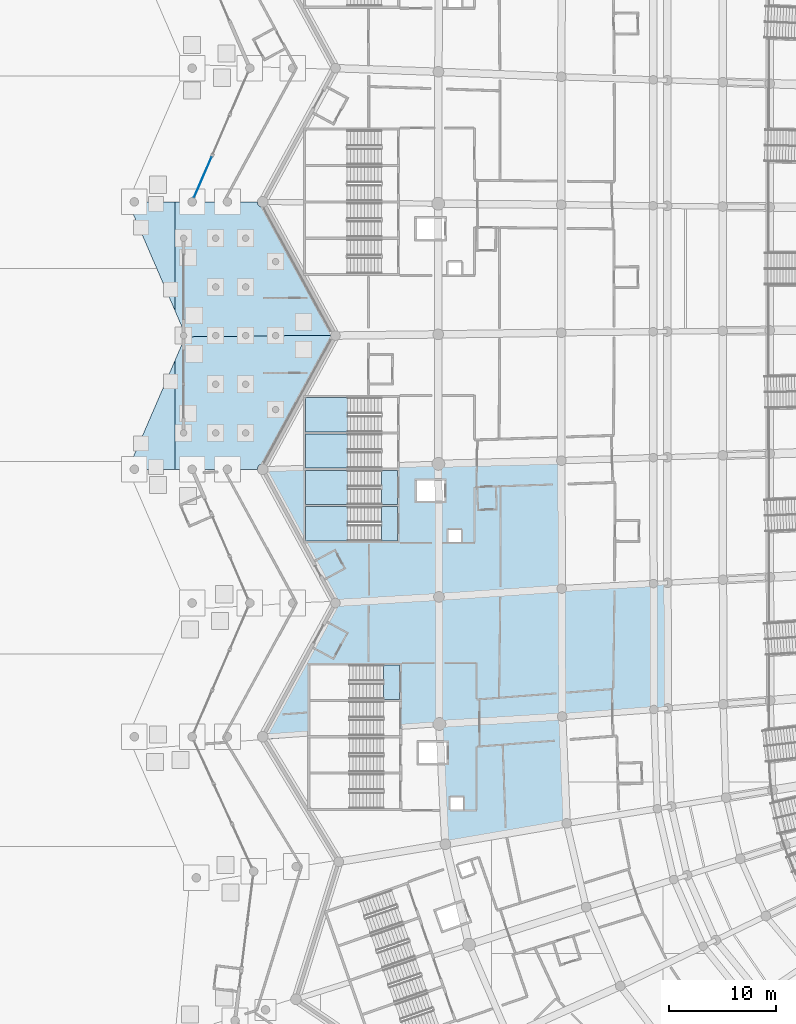
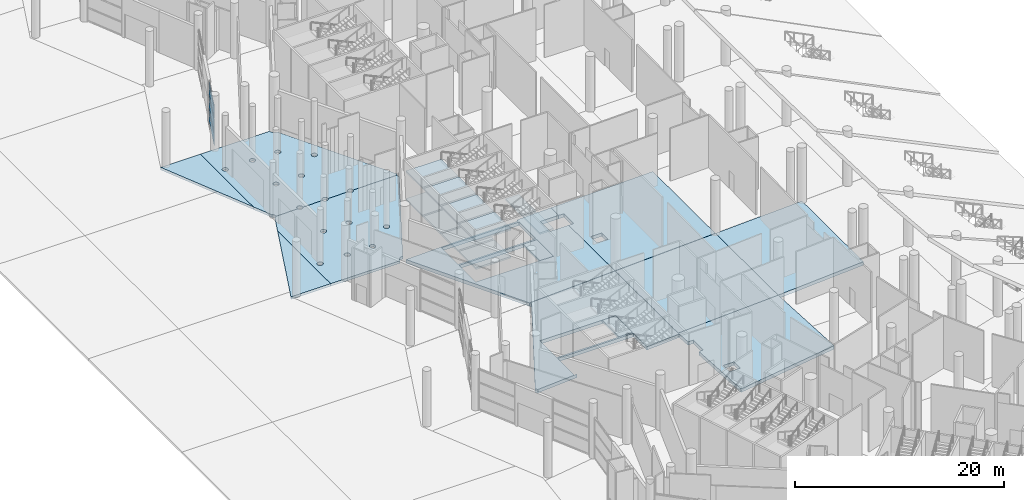
# One storey, part 75 of 255: 22 slabs, 3 plates, 6 elements without a shape of their own.
"""IFC4 building model written with IfcOpenShell, lengths in metres."""

from ifc_helpers import new_model, si_unit, direction, frame, origin, origin_2d, place, context, subcontext, project, spatial, polyline, rectangle, outline, extrude, material, layer, layer_set, type_object, element, aggregate, save


model = new_model("IFC4")

# Units and contexts
model_context = context("Model", 3, precision=1e-05, world=origin(), true_north=direction((0.0, 1.0)))
body_context = subcontext(model_context, "Body", "Model", "MODEL_VIEW")
ifc_project = project(units=[si_unit("LENGTHUNIT", "METRE"), si_unit("AREAUNIT", "SQUARE_METRE"), si_unit("VOLUMEUNIT", "CUBIC_METRE"), si_unit("PLANEANGLEUNIT", "RADIAN"), si_unit("MASSUNIT", "GRAM", prefix="KILO")], contexts=[model_context])

# Site, building, storey
site_placement = place(None, origin())
site = spatial("IfcSite", under=ifc_project, at=site_placement, CompositionType="ELEMENT")
building_placement = place(site_placement, origin())
building = spatial("IfcBuilding", under=site, at=building_placement, Name="Meseta Stadium", CompositionType="ELEMENT")
storey_placement = place(building_placement, origin())
storey = spatial("IfcBuildingStorey", under=building, at=storey_placement, Name="L00", CompositionType="ELEMENT", Elevation=0.0)

# Slabs
ifc_material_1 = material(Name="Concrete C40/50", Category="concrete")
ifc_layer_1 = layer(ifc_material_1, 0.39990234375)
ifc_layer_set_1 = layer_set([ifc_layer_1], Name="Floor slab 400")
slab_type_1 = type_object("IfcSlabType", Name="Floor slab 400", PredefinedType="FLOOR", material=ifc_layer_set_1)
slab_1_placement = place(storey_placement, frame((0.0, 0.0, -0.39990234375)))
element("IfcSlab", 1, at=slab_1_placement, inside=storey, type_object=slab_type_1, Name="Floor slab L00 sector 28 panel 02", PredefinedType="FLOOR", context=body_context, shape_type="SweptSolid", body=[
    extrude(outline(polyline([(-94.70361328125, -31.059326171875), (-84.926025390625, -30.523193359375), (-84.9638671875, -21.699951171875), (-87.0, -21.699951171875), (-87.0, -19.800048828125), (-84.971923828125, -19.800048828125), (-84.978271484375, -18.32177734375), (-88.800048828125, -18.447509765625), (-88.800048828125, -18.64990234375), (-94.9599609375, -18.64990234375), (-101.340087890625, -18.85986328125), (-94.70361328125, -31.059326171875)]), holes=[polyline([(-97.39990234375, -22.25), (-88.800048828125, -22.25), (-88.800048828125, -25.449951171875), (-97.39990234375, -25.449951171875), (-97.39990234375, -22.25)]), polyline([(-97.39990234375, -18.85009765625), (-88.800048828125, -18.85009765625), (-88.800048828125, -22.050048828125), (-97.39990234375, -22.050048828125), (-97.39990234375, -18.85009765625)])]), origin(), (0.0, 0.0, 1.0), 0.39990234375),
])
slab_2_placement = place(storey_placement, frame((0.0, 0.0, -0.39990234375)))
element("IfcSlab", 2, at=slab_2_placement, inside=storey, type_object=slab_type_1, Name="Floor slab L00 sector 28 panel 13", PredefinedType="FLOOR", context=body_context, shape_type="SweptSolid", body=[
    extrude(outline(polyline([(-84.39990234375, -21.699951171875), (-84.9638671875, -21.699951171875), (-84.926025390625, -30.523193359375), (-73.451416015625, -29.89404296875), (-73.482421875, -17.943603515625), (-84.978271484375, -18.32177734375), (-84.971923828125, -19.800048828125), (-84.39990234375, -19.800048828125), (-84.39990234375, -21.699951171875)]), holes=[polyline([(-82.85009765625, -24.39990234375), (-82.85009765625, -25.60009765625), (-84.050048828125, -25.60009765625), (-84.050048828125, -24.39990234375), (-82.85009765625, -24.39990234375)])]), origin(), (0.0, 0.0, 1.0), 0.39990234375),
])
slab_3_placement = place(storey_placement, frame((0.0, 0.0, -0.39990234375)))
element("IfcSlab", 3, at=slab_3_placement, inside=storey, type_object=slab_type_1, Name="Floor slab L00 sector 35 panel 01", PredefinedType="FLOOR", context=body_context, shape_type="SweptSolid", body=[
    extrude(outline(polyline([(-94.60009765625, -31.25), (-101.39990234375, -43.75), (-101.24853515625, -43.999267578125), (-96.697021484375, -43.64990234375), (-97.0, -43.64990234375), (-97.0, -40.449951171875), (-88.60009765625, -40.449951171875), (-88.60009765625, -43.028564453125), (-84.875, -42.74267578125), (-84.884033203125, -42.5615234375), (-84.92578125, -30.543212890625), (-94.693115234375, -31.07861328125), (-94.60009765625, -31.25)]), holes=[polyline([(-88.60009765625, -40.25), (-97.0, -40.25), (-97.0, -37.050048828125), (-88.60009765625, -37.050048828125), (-88.60009765625, -40.25)])]), origin(), (0.0, 0.0, 1.0), 0.39990234375),
])
slab_4_placement = place(storey_placement, frame((0.0, 0.0, -0.39990234375)))
element("IfcSlab", 4, at=slab_4_placement, inside=storey, type_object=slab_type_1, Name="Floor slab L00 sector 35 panel 06", PredefinedType="FLOOR", context=body_context, shape_type="SweptSolid", body=[
    extrude(outline(polyline([(-73.40478515625, -41.8623046875), (-73.451416015625, -29.9140625), (-84.92578125, -30.543212890625), (-84.884033203125, -42.5615234375), (-73.40478515625, -41.8623046875)])), origin(), (0.0, 0.0, 1.0), 0.39990234375),
])
slab_5_placement = place(storey_placement, frame((0.0, 0.0, -0.39990234375)))
element("IfcSlab", 5, at=slab_5_placement, inside=storey, type_object=slab_type_1, Name="Floor slab L00 sector 35 panel 07", PredefinedType="FLOOR", context=body_context, shape_type="SweptSolid", body=[
    extrude(outline(polyline([(-72.9921875, -51.84716796875), (-73.40478515625, -41.8623046875), (-84.884033203125, -42.5615234375), (-84.797607421875, -44.300048828125), (-84.199951171875, -44.300048828125), (-84.199951171875, -46.199951171875), (-84.703125, -46.199951171875), (-84.33154296875, -53.67333984375), (-72.9921875, -51.84716796875)]), holes=[polyline([(-82.64990234375, -50.60009765625), (-83.85009765625, -50.60009765625), (-83.85009765625, -49.39990234375), (-82.64990234375, -49.39990234375), (-82.64990234375, -50.60009765625)])]), origin(), (0.0, 0.0, 1.0), 0.39990234375),
])
slab_6_placement = place(storey_placement, frame((0.0, 0.0, -0.39990234375)))
element("IfcSlab", 6, at=slab_6_placement, inside=storey, type_object=slab_type_1, Name="Floor slab L00 sector 35 panel 12", PredefinedType="FLOOR", context=body_context, shape_type="SweptSolid", body=[
    extrude(outline(polyline([(-63.566162109375, -29.372314453125), (-73.451416015625, -29.9140625), (-73.40478515625, -41.8623046875), (-63.53369140625, -41.1044921875), (-63.566162109375, -29.372314453125)])), origin(), (0.0, 0.0, 1.0), 0.39990234375),
])
ifc_material_2 = material(Name="Concrete C40/50", Category="concrete")
ifc_layer_2 = layer(ifc_material_2, 0.300048828125)
ifc_layer_set_2 = layer_set([ifc_layer_2], Name="Gate court paving 300")
slab_type_2 = type_object("IfcSlabType", Name="Gate court paving 300", PredefinedType="FLOOR", material=ifc_layer_set_2)
slab_7_placement = place(storey_placement, frame((0.0, 0.0, -0.300048828125)))
element("IfcSlab", 7, at=slab_7_placement, inside=storey, type_object=slab_type_2, Name="Gate 5 court paving", PredefinedType="FLOOR", context=body_context, shape_type="SweptSolid", body=[
    extrude(outline(polyline([(-108.60009765625, -6.25), (-114.0, -18.75), (-109.60009765625, -18.75), (-109.60009765625, -8.564697265625), (-108.60009765625, -6.25)])), origin(), (0.0, 0.0, 1.0), 0.300048828125),
])
slab_8_placement = place(storey_placement, frame((0.0, 0.0, -0.300048828125)))
element("IfcSlab", 8, at=slab_8_placement, inside=storey, type_object=slab_type_2, Name="Gate 5 court paving", PredefinedType="FLOOR", context=body_context, shape_type="SweptSolid", body=[
    extrude(outline(polyline([(-109.60009765625, 6.25), (-114.0, 6.25), (-109.60009765625, -3.935302734375), (-109.60009765625, 6.25)])), origin(), (0.0, 0.0, 1.0), 0.300048828125),
])
ifc_material_3 = material(Name="Concrete C30/37", Category="concrete")
ifc_layer_3 = layer(ifc_material_3, 0.300048828125)
ifc_layer_set_3 = layer_set([ifc_layer_3], Name="Gate grade slab 300")
slab_type_3 = type_object("IfcSlabType", Name="Gate grade slab 300", PredefinedType="BASESLAB", material=ifc_layer_set_3)
slab_9_placement = place(storey_placement, frame((0.0, 0.0, -0.300048828125)))
element("IfcSlab", 9, at=slab_9_placement, inside=storey, type_object=slab_type_3, Name="Gate ground floor slab 5 panel 01", PredefinedType="BASESLAB", context=body_context, shape_type="SweptSolid", body=[
    extrude(outline(polyline([(-108.497314453125, -6.25), (-108.5078125, -6.328369140625), (-108.523193359375, -6.365478515625), (-106.087890625, -6.338623046875), (-106.09228515625, -6.328369140625), (-106.1025390625, -6.25), (-106.09228515625, -6.171630859375), (-106.06201171875, -6.0986328125), (-106.013916015625, -6.035888671875), (-105.951416015625, -5.988037109375), (-105.87841796875, -5.957763671875), (-105.800048828125, -5.947509765625), (-105.7216796875, -5.957763671875), (-105.648681640625, -5.988037109375), (-105.5859375, -6.035888671875), (-105.5380859375, -6.0986328125), (-105.5078125, -6.171630859375), (-105.497314453125, -6.25), (-105.5078125, -6.328369140625), (-105.509521484375, -6.332275390625), (-103.294921875, -6.30810546875), (-103.302490234375, -6.25), (-103.292236328125, -6.171630859375), (-103.261962890625, -6.0986328125), (-103.214111328125, -6.035888671875), (-103.1513671875, -5.988037109375), (-103.078369140625, -5.957763671875), (-103.0, -5.947509765625), (-102.921630859375, -5.957763671875), (-102.8486328125, -5.988037109375), (-102.785888671875, -6.035888671875), (-102.738037109375, -6.0986328125), (-102.707763671875, -6.171630859375), (-102.697509765625, -6.25), (-102.7041015625, -6.301513671875), (-100.4990234375, -6.27734375), (-100.502685546875, -6.25), (-100.4921875, -6.171630859375), (-100.4619140625, -6.0986328125), (-100.4140625, -6.035888671875), (-100.351318359375, -5.988037109375), (-100.2783203125, -5.957763671875), (-100.199951171875, -5.947509765625), (-100.12158203125, -5.957763671875), (-100.048583984375, -5.988037109375), (-99.986083984375, -6.035888671875), (-99.93798828125, -6.0986328125), (-99.90771484375, -6.171630859375), (-99.8974609375, -6.25), (-99.900146484375, -6.270751953125), (-95.049560546875, -6.217529296875), (-95.038330078125, -6.132568359375), (-94.9931640625, -6.023193359375), (-94.955078125, -5.9736328125), (-101.335205078125, 5.754150390625), (-101.39990234375, 5.74560546875), (-101.530517578125, 5.762939453125), (-101.652099609375, 5.813232421875), (-101.756591796875, 5.893310546875), (-101.836669921875, 5.997802734375), (-101.88720703125, 6.119384765625), (-101.904296875, 6.25), (-109.60009765625, 6.25), (-109.60009765625, -3.935302734375), (-108.7265625, -5.95703125), (-108.7216796875, -5.957763671875), (-108.648681640625, -5.988037109375), (-108.5859375, -6.035888671875), (-108.5380859375, -6.0986328125), (-108.5078125, -6.171630859375), (-108.497314453125, -6.25)]), holes=[polyline([(-105.5380859375, -1.851318359375), (-105.5859375, -1.9140625), (-105.648681640625, -1.9619140625), (-105.7216796875, -1.9921875), (-105.800048828125, -2.002685546875), (-105.87841796875, -1.9921875), (-105.951416015625, -1.9619140625), (-106.013916015625, -1.9140625), (-106.06201171875, -1.851318359375), (-106.09228515625, -1.7783203125), (-106.1025390625, -1.699951171875), (-106.09228515625, -1.62158203125), (-106.06201171875, -1.548583984375), (-106.013916015625, -1.486083984375), (-105.951416015625, -1.43798828125), (-105.87841796875, -1.40771484375), (-105.800048828125, -1.3974609375), (-105.7216796875, -1.40771484375), (-105.648681640625, -1.43798828125), (-105.5859375, -1.486083984375), (-105.5380859375, -1.548583984375), (-105.5078125, -1.62158203125), (-105.497314453125, -1.699951171875), (-105.5078125, -1.7783203125), (-105.5380859375, -1.851318359375)]), polyline([(-108.5859375, 2.635986328125), (-108.648681640625, 2.587890625), (-108.7216796875, 2.5576171875), (-108.800048828125, 2.54736328125), (-108.87841796875, 2.5576171875), (-108.951416015625, 2.587890625), (-109.013916015625, 2.635986328125), (-109.06201171875, 2.69873046875), (-109.09228515625, 2.771728515625), (-109.1025390625, 2.85009765625), (-109.09228515625, 2.92822265625), (-109.06201171875, 3.001220703125), (-109.013916015625, 3.06396484375), (-108.951416015625, 3.112060546875), (-108.87841796875, 3.142333984375), (-108.800048828125, 3.152587890625), (-108.7216796875, 3.142333984375), (-108.648681640625, 3.112060546875), (-108.5859375, 3.06396484375), (-108.5380859375, 3.001220703125), (-108.5078125, 2.92822265625), (-108.497314453125, 2.85009765625), (-108.5078125, 2.771728515625), (-108.5380859375, 2.69873046875), (-108.5859375, 2.635986328125)]), polyline([(-105.5859375, 2.635986328125), (-105.648681640625, 2.587890625), (-105.7216796875, 2.5576171875), (-105.800048828125, 2.54736328125), (-105.87841796875, 2.5576171875), (-105.951416015625, 2.587890625), (-106.013916015625, 2.635986328125), (-106.06201171875, 2.69873046875), (-106.09228515625, 2.771728515625), (-106.1025390625, 2.85009765625), (-106.09228515625, 2.92822265625), (-106.06201171875, 3.001220703125), (-106.013916015625, 3.06396484375), (-105.951416015625, 3.112060546875), (-105.87841796875, 3.142333984375), (-105.800048828125, 3.152587890625), (-105.7216796875, 3.142333984375), (-105.648681640625, 3.112060546875), (-105.5859375, 3.06396484375), (-105.5380859375, 3.001220703125), (-105.5078125, 2.92822265625), (-105.497314453125, 2.85009765625), (-105.5078125, 2.771728515625), (-105.5380859375, 2.69873046875), (-105.5859375, 2.635986328125)]), polyline([(-102.785888671875, -1.9140625), (-102.8486328125, -1.9619140625), (-102.921630859375, -1.9921875), (-103.0, -2.002685546875), (-103.078369140625, -1.9921875), (-103.1513671875, -1.9619140625), (-103.214111328125, -1.9140625), (-103.261962890625, -1.851318359375), (-103.292236328125, -1.7783203125), (-103.302490234375, -1.699951171875), (-103.292236328125, -1.62158203125), (-103.261962890625, -1.548583984375), (-103.214111328125, -1.486083984375), (-103.1513671875, -1.43798828125), (-103.078369140625, -1.40771484375), (-103.0, -1.3974609375), (-102.921630859375, -1.40771484375), (-102.8486328125, -1.43798828125), (-102.785888671875, -1.486083984375), (-102.738037109375, -1.548583984375), (-102.707763671875, -1.62158203125), (-102.697509765625, -1.699951171875), (-102.707763671875, -1.7783203125), (-102.738037109375, -1.851318359375), (-102.785888671875, -1.9140625)]), polyline([(-99.986083984375, 0.45361328125), (-100.048583984375, 0.405517578125), (-100.12158203125, 0.375244140625), (-100.199951171875, 0.364990234375), (-100.2783203125, 0.375244140625), (-100.351318359375, 0.405517578125), (-100.4140625, 0.45361328125), (-100.4619140625, 0.51611328125), (-100.4921875, 0.589111328125), (-100.502685546875, 0.66748046875), (-100.4921875, 0.745849609375), (-100.4619140625, 0.818603515625), (-100.4140625, 0.88134765625), (-100.351318359375, 0.929443359375), (-100.2783203125, 0.959716796875), (-100.199951171875, 0.969970703125), (-100.12158203125, 0.959716796875), (-100.048583984375, 0.929443359375), (-99.986083984375, 0.88134765625), (-99.93798828125, 0.818603515625), (-99.90771484375, 0.745849609375), (-99.8974609375, 0.66748046875), (-99.90771484375, 0.589111328125), (-99.93798828125, 0.51611328125), (-99.986083984375, 0.45361328125)]), polyline([(-102.738037109375, 2.69873046875), (-102.785888671875, 2.635986328125), (-102.8486328125, 2.587890625), (-102.921630859375, 2.5576171875), (-103.0, 2.54736328125), (-103.078369140625, 2.5576171875), (-103.1513671875, 2.587890625), (-103.214111328125, 2.635986328125), (-103.261962890625, 2.69873046875), (-103.292236328125, 2.771728515625), (-103.302490234375, 2.85009765625), (-103.292236328125, 2.92822265625), (-103.261962890625, 3.001220703125), (-103.214111328125, 3.06396484375), (-103.1513671875, 3.112060546875), (-103.078369140625, 3.142333984375), (-103.0, 3.152587890625), (-102.921630859375, 3.142333984375), (-102.8486328125, 3.112060546875), (-102.785888671875, 3.06396484375), (-102.738037109375, 3.001220703125), (-102.707763671875, 2.92822265625), (-102.697509765625, 2.85009765625), (-102.707763671875, 2.771728515625), (-102.738037109375, 2.69873046875)])]), origin(), (0.0, 0.0, 1.0), 0.300048828125),
])
slab_10_placement = place(storey_placement, frame((0.0, 0.0, -0.300048828125)))
element("IfcSlab", 10, at=slab_10_placement, inside=storey, type_object=slab_type_3, Name="Gate ground floor slab 5 panel 02", PredefinedType="BASESLAB", context=body_context, shape_type="SweptSolid", body=[
    extrude(outline(polyline([(-95.038330078125, -6.367431640625), (-95.053955078125, -6.25), (-95.049560546875, -6.217529296875), (-99.900146484375, -6.270751953125), (-99.90771484375, -6.328369140625), (-99.93798828125, -6.4013671875), (-99.986083984375, -6.464111328125), (-100.048583984375, -6.511962890625), (-100.12158203125, -6.542236328125), (-100.199951171875, -6.552490234375), (-100.2783203125, -6.542236328125), (-100.351318359375, -6.511962890625), (-100.4140625, -6.464111328125), (-100.4619140625, -6.4013671875), (-100.4921875, -6.328369140625), (-100.4990234375, -6.27734375), (-102.7041015625, -6.301513671875), (-102.707763671875, -6.328369140625), (-102.738037109375, -6.4013671875), (-102.785888671875, -6.464111328125), (-102.8486328125, -6.511962890625), (-102.921630859375, -6.542236328125), (-103.0, -6.552490234375), (-103.078369140625, -6.542236328125), (-103.1513671875, -6.511962890625), (-103.214111328125, -6.464111328125), (-103.261962890625, -6.4013671875), (-103.292236328125, -6.328369140625), (-103.294921875, -6.30810546875), (-105.509521484375, -6.332275390625), (-105.5380859375, -6.4013671875), (-105.5859375, -6.464111328125), (-105.648681640625, -6.511962890625), (-105.7216796875, -6.542236328125), (-105.800048828125, -6.552490234375), (-105.87841796875, -6.542236328125), (-105.951416015625, -6.511962890625), (-106.013916015625, -6.464111328125), (-106.06201171875, -6.4013671875), (-106.087890625, -6.338623046875), (-108.523193359375, -6.365478515625), (-108.5380859375, -6.4013671875), (-108.5859375, -6.464111328125), (-108.648681640625, -6.511962890625), (-108.7216796875, -6.542236328125), (-108.7265625, -6.54296875), (-109.60009765625, -8.564697265625), (-109.60009765625, -18.75), (-101.904296875, -18.75), (-101.88720703125, -18.619384765625), (-101.836669921875, -18.497802734375), (-101.756591796875, -18.393310546875), (-101.652099609375, -18.313232421875), (-101.530517578125, -18.262939453125), (-101.39990234375, -18.24560546875), (-101.335205078125, -18.254150390625), (-94.955078125, -6.5263671875), (-94.9931640625, -6.476806640625), (-95.038330078125, -6.367431640625)]), holes=[polyline([(-108.5380859375, -15.501220703125), (-108.5859375, -15.56396484375), (-108.648681640625, -15.612060546875), (-108.7216796875, -15.642333984375), (-108.800048828125, -15.652587890625), (-108.87841796875, -15.642333984375), (-108.951416015625, -15.612060546875), (-109.013916015625, -15.56396484375), (-109.06201171875, -15.501220703125), (-109.09228515625, -15.42822265625), (-109.1025390625, -15.35009765625), (-109.09228515625, -15.271728515625), (-109.06201171875, -15.19873046875), (-109.013916015625, -15.135986328125), (-108.951416015625, -15.087890625), (-108.87841796875, -15.0576171875), (-108.800048828125, -15.04736328125), (-108.7216796875, -15.0576171875), (-108.648681640625, -15.087890625), (-108.5859375, -15.135986328125), (-108.5380859375, -15.19873046875), (-108.5078125, -15.271728515625), (-108.497314453125, -15.35009765625), (-108.5078125, -15.42822265625), (-108.5380859375, -15.501220703125)]), polyline([(-105.5380859375, -15.501220703125), (-105.5859375, -15.56396484375), (-105.648681640625, -15.612060546875), (-105.7216796875, -15.642333984375), (-105.800048828125, -15.652587890625), (-105.87841796875, -15.642333984375), (-105.951416015625, -15.612060546875), (-106.013916015625, -15.56396484375), (-106.06201171875, -15.501220703125), (-106.09228515625, -15.42822265625), (-106.1025390625, -15.35009765625), (-106.09228515625, -15.271728515625), (-106.06201171875, -15.19873046875), (-106.013916015625, -15.135986328125), (-105.951416015625, -15.087890625), (-105.87841796875, -15.0576171875), (-105.800048828125, -15.04736328125), (-105.7216796875, -15.0576171875), (-105.648681640625, -15.087890625), (-105.5859375, -15.135986328125), (-105.5380859375, -15.19873046875), (-105.5078125, -15.271728515625), (-105.497314453125, -15.35009765625), (-105.5078125, -15.42822265625), (-105.5380859375, -15.501220703125)]), polyline([(-102.738037109375, -15.501220703125), (-102.785888671875, -15.56396484375), (-102.8486328125, -15.612060546875), (-102.921630859375, -15.642333984375), (-103.0, -15.652587890625), (-103.078369140625, -15.642333984375), (-103.1513671875, -15.612060546875), (-103.214111328125, -15.56396484375), (-103.261962890625, -15.501220703125), (-103.292236328125, -15.42822265625), (-103.302490234375, -15.35009765625), (-103.292236328125, -15.271728515625), (-103.261962890625, -15.19873046875), (-103.214111328125, -15.135986328125), (-103.1513671875, -15.087890625), (-103.078369140625, -15.0576171875), (-103.0, -15.04736328125), (-102.921630859375, -15.0576171875), (-102.8486328125, -15.087890625), (-102.785888671875, -15.135986328125), (-102.738037109375, -15.19873046875), (-102.707763671875, -15.271728515625), (-102.697509765625, -15.35009765625), (-102.707763671875, -15.42822265625), (-102.738037109375, -15.501220703125)]), polyline([(-105.5859375, -11.013916015625), (-105.648681640625, -11.06201171875), (-105.7216796875, -11.09228515625), (-105.800048828125, -11.1025390625), (-105.87841796875, -11.09228515625), (-105.951416015625, -11.06201171875), (-106.013916015625, -11.013916015625), (-106.06201171875, -10.951416015625), (-106.09228515625, -10.87841796875), (-106.1025390625, -10.800048828125), (-106.09228515625, -10.7216796875), (-106.06201171875, -10.648681640625), (-106.013916015625, -10.5859375), (-105.951416015625, -10.5380859375), (-105.87841796875, -10.5078125), (-105.800048828125, -10.497314453125), (-105.7216796875, -10.5078125), (-105.648681640625, -10.5380859375), (-105.5859375, -10.5859375), (-105.5380859375, -10.648681640625), (-105.5078125, -10.7216796875), (-105.497314453125, -10.800048828125), (-105.5078125, -10.87841796875), (-105.5380859375, -10.951416015625), (-105.5859375, -11.013916015625)]), polyline([(-102.785888671875, -11.013916015625), (-102.8486328125, -11.06201171875), (-102.921630859375, -11.09228515625), (-103.0, -11.1025390625), (-103.078369140625, -11.09228515625), (-103.1513671875, -11.06201171875), (-103.214111328125, -11.013916015625), (-103.261962890625, -10.951416015625), (-103.292236328125, -10.87841796875), (-103.302490234375, -10.800048828125), (-103.292236328125, -10.7216796875), (-103.261962890625, -10.648681640625), (-103.214111328125, -10.5859375), (-103.1513671875, -10.5380859375), (-103.078369140625, -10.5078125), (-103.0, -10.497314453125), (-102.921630859375, -10.5078125), (-102.8486328125, -10.5380859375), (-102.785888671875, -10.5859375), (-102.738037109375, -10.648681640625), (-102.707763671875, -10.7216796875), (-102.697509765625, -10.800048828125), (-102.707763671875, -10.87841796875), (-102.738037109375, -10.951416015625), (-102.785888671875, -11.013916015625)]), polyline([(-99.93798828125, -13.318603515625), (-99.986083984375, -13.38134765625), (-100.048583984375, -13.429443359375), (-100.12158203125, -13.459716796875), (-100.199951171875, -13.469970703125), (-100.2783203125, -13.459716796875), (-100.351318359375, -13.429443359375), (-100.4140625, -13.38134765625), (-100.4619140625, -13.318603515625), (-100.4921875, -13.245849609375), (-100.502685546875, -13.16748046875), (-100.4921875, -13.089111328125), (-100.4619140625, -13.01611328125), (-100.4140625, -12.95361328125), (-100.351318359375, -12.905517578125), (-100.2783203125, -12.875244140625), (-100.199951171875, -12.864990234375), (-100.12158203125, -12.875244140625), (-100.048583984375, -12.905517578125), (-99.986083984375, -12.95361328125), (-99.93798828125, -13.01611328125), (-99.90771484375, -13.089111328125), (-99.8974609375, -13.16748046875), (-99.90771484375, -13.245849609375), (-99.93798828125, -13.318603515625)])]), origin(), (0.0, 0.0, 1.0), 0.300048828125),
])

# Curtain wall, plates
ifc_material_4 = material(Name="Aluminium", Category="aluminium")
ifc_layer_4 = layer(ifc_material_4, 0.199951171875)
ifc_layer_set_4 = layer_set([ifc_layer_4], Name="Ring shopfront curtain wall")
curtain_wall_type = type_object("IfcCurtainWallType", Name="Ring shopfront curtain wall", PredefinedType="NOTDEFINED", material=ifc_layer_set_4)
curtain_wall_placement = place(storey_placement, origin())
curtain_wall = element("IfcCurtainWall", 11, at=curtain_wall_placement, inside=storey, type_object=curtain_wall_type, Name="Shopfront glazing F31b", PredefinedType="NOTDEFINED")
ifc_material_5 = material(Name="Glass", Category="glass")
ifc_layer_5 = layer(ifc_material_5, 0.035888671875)
ifc_layer_set_5 = layer_set([ifc_layer_5], Name="Ring CW glass panel 36")
plate_type = type_object("IfcPlateType", Name="Ring CW glass panel 36", PredefinedType="CURTAIN_PANEL", material=ifc_layer_set_5)
plate_1_placement = place(storey_placement, frame((-107.0068359375, 8.548828125, 0.150146484375), z_axis=(0.0, 0.0, 1.0), x_axis=(-0.396576208678, -0.918001803218, 0.0)))
plate_1 = element("IfcPlate", 12, at=plate_1_placement, type_object=plate_type, Name="CWR1 panel 1.1", PredefinedType="CURTAIN_PANEL", context=body_context, shape_type="SweptSolid", body=[
    extrude(rectangle(XDim=4.08837890625, YDim=0.035888671875, at=origin_2d()), origin(), (0.0, 0.0, 1.0), 1.3916015625),
])
plate_2_placement = place(storey_placement, frame((-107.0068359375, 8.548828125, 1.69189453125), z_axis=(0.0, 0.0, 1.0), x_axis=(-0.396576208678, -0.918001803218, 0.0)))
plate_2 = element("IfcPlate", 13, at=plate_2_placement, type_object=plate_type, Name="CWR1 panel 1.2", PredefinedType="CURTAIN_PANEL", context=body_context, shape_type="SweptSolid", body=[
    extrude(rectangle(XDim=4.08837890625, YDim=0.035888671875, at=origin_2d()), origin(), (0.0, 0.0, 1.0), 1.466552734375),
])
plate_3_placement = place(storey_placement, frame((-107.0068359375, 8.548828125, 3.308349609375), z_axis=(0.0, 0.0, 1.0), x_axis=(-0.396576208678, -0.918001803218, 0.0)))
plate_3 = element("IfcPlate", 14, at=plate_3_placement, type_object=plate_type, Name="CWR1 panel 1.3", PredefinedType="CURTAIN_PANEL", context=body_context, shape_type="SweptSolid", body=[
    extrude(rectangle(XDim=4.08837890625, YDim=0.035888671875, at=origin_2d()), origin(), (0.0, 0.0, 1.0), 1.3916015625),
])
aggregate(curtain_wall, [plate_1, plate_2, plate_3])

# Stair, slabs
ifc_material_6 = material(Name="Concrete C40/50", Category="concrete")
stair_type = type_object("IfcStairType", Name="Exit stair 4 flights 148 mm risers", PredefinedType="HALF_TURN_STAIR", material=ifc_material_6)
stair_1_placement = place(storey_placement, origin())
stair_1 = element("IfcStair", 15, at=stair_1_placement, inside=storey, type_object=stair_type, Name="ST69 L00", PredefinedType="HALF_TURN_STAIR")
ifc_material_7 = material(Name="Concrete C40/50", Category="concrete")
ifc_layer_6 = layer(ifc_material_7, 0.199951171875)
ifc_layer_set_6 = layer_set([ifc_layer_6], Name="Stair landing 200")
slab_type_4 = type_object("IfcSlabType", Name="Stair landing 200", PredefinedType="LANDING", material=ifc_layer_set_6)
slab_11_placement = place(storey_placement, frame((0.0, 0.0, 1.425048828125)))
slab_11 = element("IfcSlab", 16, at=slab_11_placement, type_object=slab_type_4, Name="ST69 L00 landing 1", PredefinedType="LANDING", context=body_context, shape_type="SweptSolid", body=[
    extrude(outline(polyline([(-93.489990234375, -12.050048828125), (-97.39990234375, -12.050048828125), (-97.39990234375, -15.25), (-93.489990234375, -15.25), (-93.489990234375, -12.050048828125)])), origin(), (0.0, 0.0, 1.0), 0.199951171875),
])
slab_12_placement = place(storey_placement, frame((0.0, 0.0, 4.675048828125)))
slab_12 = element("IfcSlab", 17, at=slab_12_placement, type_object=slab_type_4, Name="ST69 L00 landing 3", PredefinedType="LANDING", context=body_context, shape_type="SweptSolid", body=[
    extrude(outline(polyline([(-93.489990234375, -12.050048828125), (-97.39990234375, -12.050048828125), (-97.39990234375, -15.25), (-93.489990234375, -15.25), (-93.489990234375, -12.050048828125)])), origin(), (0.0, 0.0, 1.0), 0.199951171875),
])
aggregate(stair_1, [slab_11, slab_12])

stair_2_placement = place(storey_placement, origin())
stair_2 = element("IfcStair", 18, at=stair_2_placement, inside=storey, type_object=stair_type, Name="ST70 L00", PredefinedType="HALF_TURN_STAIR")
slab_13_placement = place(storey_placement, frame((0.0, 0.0, 1.425048828125)))
slab_13 = element("IfcSlab", 19, at=slab_13_placement, type_object=slab_type_4, Name="ST70 L00 landing 1", PredefinedType="LANDING", context=body_context, shape_type="SweptSolid", body=[
    extrude(outline(polyline([(-93.489990234375, -15.449951171875), (-97.39990234375, -15.449951171875), (-97.39990234375, -18.64990234375), (-93.489990234375, -18.64990234375), (-93.489990234375, -15.449951171875)])), origin(), (0.0, 0.0, 1.0), 0.199951171875),
])
slab_14_placement = place(storey_placement, frame((0.0, 0.0, 4.675048828125)))
slab_14 = element("IfcSlab", 20, at=slab_14_placement, type_object=slab_type_4, Name="ST70 L00 landing 3", PredefinedType="LANDING", context=body_context, shape_type="SweptSolid", body=[
    extrude(outline(polyline([(-93.489990234375, -15.449951171875), (-97.39990234375, -15.449951171875), (-97.39990234375, -18.64990234375), (-93.489990234375, -18.64990234375), (-93.489990234375, -15.449951171875)])), origin(), (0.0, 0.0, 1.0), 0.199951171875),
])
aggregate(stair_2, [slab_13, slab_14])

stair_3_placement = place(storey_placement, origin())
stair_3 = element("IfcStair", 21, at=stair_3_placement, inside=storey, type_object=stair_type, Name="ST71 L00", PredefinedType="HALF_TURN_STAIR")
slab_15_placement = place(storey_placement, frame((0.0, 0.0, 1.425048828125)))
slab_15 = element("IfcSlab", 22, at=slab_15_placement, type_object=slab_type_4, Name="ST71 L00 landing 1", PredefinedType="LANDING", context=body_context, shape_type="SweptSolid", body=[
    extrude(outline(polyline([(-93.489990234375, -18.85009765625), (-97.39990234375, -18.85009765625), (-97.39990234375, -22.050048828125), (-93.489990234375, -22.050048828125), (-93.489990234375, -18.85009765625)])), origin(), (0.0, 0.0, 1.0), 0.199951171875),
])
slab_16_placement = place(storey_placement, frame((0.0, 0.0, 3.050048828125)))
slab_16 = element("IfcSlab", 23, at=slab_16_placement, type_object=slab_type_4, Name="ST71 L00 landing 2", PredefinedType="LANDING", context=body_context, shape_type="SweptSolid", body=[
    extrude(outline(polyline([(-88.800048828125, -18.85009765625), (-90.31005859375, -18.85009765625), (-90.31005859375, -22.050048828125), (-88.800048828125, -22.050048828125), (-88.800048828125, -18.85009765625)])), origin(), (0.0, 0.0, 1.0), 0.199951171875),
])
slab_17_placement = place(storey_placement, frame((0.0, 0.0, 4.675048828125)))
slab_17 = element("IfcSlab", 24, at=slab_17_placement, type_object=slab_type_4, Name="ST71 L00 landing 3", PredefinedType="LANDING", context=body_context, shape_type="SweptSolid", body=[
    extrude(outline(polyline([(-93.489990234375, -18.85009765625), (-97.39990234375, -18.85009765625), (-97.39990234375, -22.050048828125), (-93.489990234375, -22.050048828125), (-93.489990234375, -18.85009765625)])), origin(), (0.0, 0.0, 1.0), 0.199951171875),
])
aggregate(stair_3, [slab_15, slab_16, slab_17])

stair_4_placement = place(storey_placement, origin())
stair_4 = element("IfcStair", 25, at=stair_4_placement, inside=storey, type_object=stair_type, Name="ST72 L00", PredefinedType="HALF_TURN_STAIR")
slab_18_placement = place(storey_placement, frame((0.0, 0.0, 1.425048828125)))
slab_18 = element("IfcSlab", 26, at=slab_18_placement, type_object=slab_type_4, Name="ST72 L00 landing 1", PredefinedType="LANDING", context=body_context, shape_type="SweptSolid", body=[
    extrude(outline(polyline([(-93.489990234375, -22.25), (-97.39990234375, -22.25), (-97.39990234375, -25.449951171875), (-93.489990234375, -25.449951171875), (-93.489990234375, -22.25)])), origin(), (0.0, 0.0, 1.0), 0.199951171875),
])
slab_19_placement = place(storey_placement, frame((0.0, 0.0, 3.050048828125)))
slab_19 = element("IfcSlab", 27, at=slab_19_placement, type_object=slab_type_4, Name="ST72 L00 landing 2", PredefinedType="LANDING", context=body_context, shape_type="SweptSolid", body=[
    extrude(outline(polyline([(-88.800048828125, -22.25), (-90.31005859375, -22.25), (-90.31005859375, -25.449951171875), (-88.800048828125, -25.449951171875), (-88.800048828125, -22.25)])), origin(), (0.0, 0.0, 1.0), 0.199951171875),
])
slab_20_placement = place(storey_placement, frame((0.0, 0.0, 4.675048828125)))
slab_20 = element("IfcSlab", 28, at=slab_20_placement, type_object=slab_type_4, Name="ST72 L00 landing 3", PredefinedType="LANDING", context=body_context, shape_type="SweptSolid", body=[
    extrude(outline(polyline([(-93.489990234375, -22.25), (-97.39990234375, -22.25), (-97.39990234375, -25.449951171875), (-93.489990234375, -25.449951171875), (-93.489990234375, -22.25)])), origin(), (0.0, 0.0, 1.0), 0.199951171875),
])
slab_21_placement = place(storey_placement, frame((0.0, 0.0, -0.199951171875)))
slab_21 = element("IfcSlab", 29, at=slab_21_placement, type_object=slab_type_4, Name="ST72 L00 landing 4", PredefinedType="LANDING", context=body_context, shape_type="SweptSolid", body=[
    extrude(outline(polyline([(-88.800048828125, -22.25), (-90.31005859375, -22.25), (-90.31005859375, -25.449951171875), (-88.800048828125, -25.449951171875), (-88.800048828125, -22.25)])), origin(), (0.0, 0.0, 1.0), 0.199951171875),
])
aggregate(stair_4, [slab_18, slab_19, slab_20, slab_21])

# Stair, slab
stair_5_placement = place(storey_placement, origin())
stair_5 = element("IfcStair", 30, at=stair_5_placement, inside=storey, type_object=stair_type, Name="ST73 L00", PredefinedType="HALF_TURN_STAIR")
slab_22_placement = place(storey_placement, frame((0.0, 0.0, -0.199951171875)))
slab_22 = element("IfcSlab", 31, at=slab_22_placement, type_object=slab_type_4, Name="ST73 L00 landing 4", PredefinedType="LANDING", context=body_context, shape_type="SweptSolid", body=[
    extrude(outline(polyline([(-88.60009765625, -37.050048828125), (-90.110107421875, -37.050048828125), (-90.110107421875, -40.25), (-88.60009765625, -40.25), (-88.60009765625, -37.050048828125)])), origin(), (0.0, 0.0, 1.0), 0.199951171875),
])
aggregate(stair_5, [slab_22])

save(model, "model.ifc")
